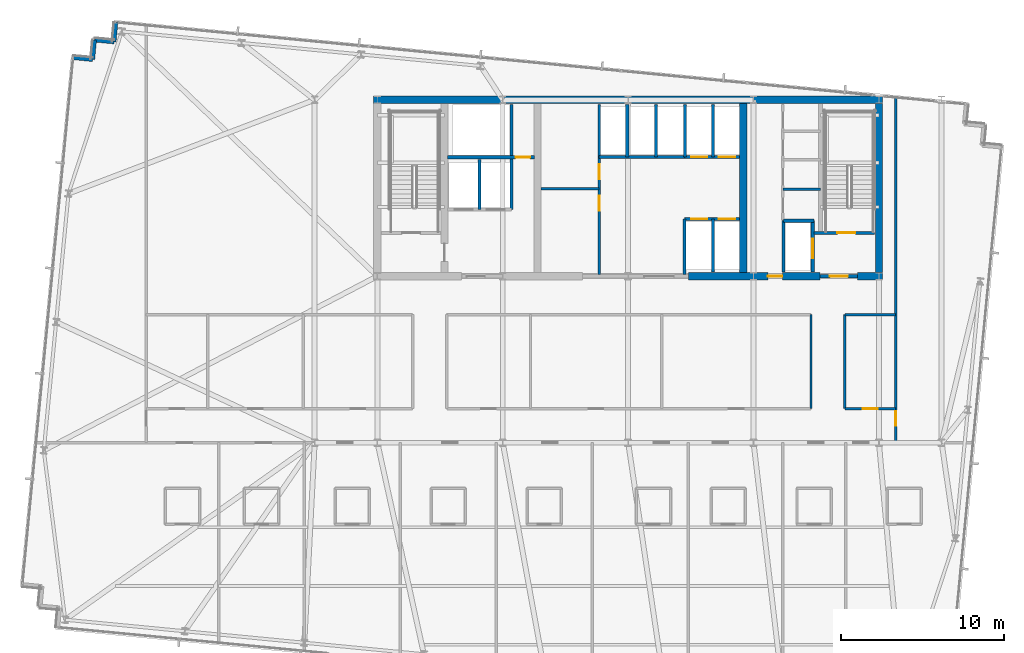
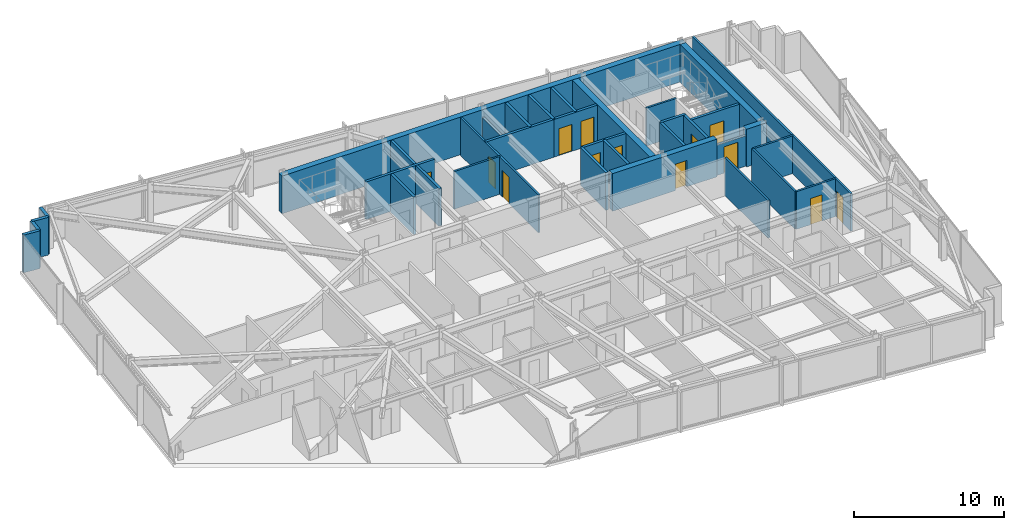
# One storey, part 31 of 37: 34 walls, 13 doors, 13 openings.
"""IFC4 building model written with IfcOpenShell, lengths in metres."""

from ifc_helpers import new_model, si_unit, direction, frame, frame_2d, origin, place, context, subcontext, project, spatial, rectangle, extrude, material, layer, layer_set, type_object, element, fill, save


model = new_model("IFC4")

# Units and contexts
model_context = context("Model", 3, precision=1e-05, world=origin(), true_north=direction((0.0, 1.0)))
body_context = subcontext(model_context, "Body", "Model", "MODEL_VIEW")
ifc_project = project(units=[si_unit("LENGTHUNIT", "METRE"), si_unit("AREAUNIT", "SQUARE_METRE"), si_unit("VOLUMEUNIT", "CUBIC_METRE"), si_unit("PLANEANGLEUNIT", "RADIAN"), si_unit("MASSUNIT", "GRAM", prefix="KILO")], contexts=[model_context])

# Site, building, storey
site_placement = place(None, origin())
site = spatial("IfcSite", under=ifc_project, at=site_placement, CompositionType="ELEMENT")
building_placement = place(site_placement, origin())
building = spatial("IfcBuilding", under=site, at=building_placement, Name="Yelkora Congress Tower", CompositionType="ELEMENT")
storey_placement = place(building_placement, frame((0.0, 0.0, 162.199951171875)))
storey = spatial("IfcBuildingStorey", under=building, at=storey_placement, Name="L44", CompositionType="ELEMENT", Elevation=162.199951171875)

# Wall
ifc_material_1 = material(Name="Concrete C60/75", Category="concrete")
ifc_layer_1 = layer(ifc_material_1, 0.449951171875)
ifc_layer_set_1 = layer_set([ifc_layer_1], Name="Concrete C60/75")
wall_type_1 = type_object("IfcWallType", Name="WALL-CORE-INT-450", PredefinedType="SHEAR", material=ifc_layer_set_1)
wall_1_placement = place(storey_placement, frame((22.81494140625, 46.199951171875, 0.0), z_axis=(0.0, 0.0, 1.0), x_axis=(1.0, 0.0, 0.0)))
element("IfcWall", 1, at=wall_1_placement, inside=storey, type_object=wall_type_1, Name="L44 Rear Core North Shear Wall", PredefinedType="SHEAR", context=body_context, shape_type="SweptSolid", body=[
    extrude(rectangle(XDim=31.170166015625, YDim=0.449951171875, at=frame_2d((15.5849609375, 0.0))), origin(), (0.0, 0.0, 1.0), 3.080078125),
])

# Wall, opening, door
wall_2_placement = place(storey_placement, frame((42.10009765625, 35.39990234375, 0.0), z_axis=(0.0, 0.0, 1.0), x_axis=(1.0, 0.0, 0.0)))
wall_2 = element("IfcWall", 2, at=wall_2_placement, inside=storey, type_object=wall_type_1, Name="L44 Rear Core South-East Shear Wall A", PredefinedType="SHEAR", context=body_context, shape_type="SweptSolid", body=[
    extrude(rectangle(XDim=8.0498046875, YDim=0.449951171875, at=frame_2d((4.02490234375, 0.0))), origin(), (0.0, 0.0, 1.0), 3.080078125),
])
opening_1_placement = place(wall_2_placement, frame((4.85009765625, 0.0, 0.0)))
opening_1 = element("IfcOpeningElement", 3, at=opening_1_placement, cuts=wall_2, Name="Opening DR-090F6", PredefinedType="OPENING", context=body_context, shape_type="SweptSolid", body=[
    extrude(rectangle(XDim=0.89990234375, YDim=2.14990234375, at=frame_2d((0.449951171875, 1.074951171875))), frame((0.0, 0.23486328125, 0.0), z_axis=(0.0, -1.0, 0.0), x_axis=(1.0, 0.0, 0.0)), (0.0, 0.0, 1.0), 0.469970703125),
])
ifc_material_2 = material(Name="Painted steel riser fire door leaf", Category="steel")
door_type_1 = type_object("IfcDoorType", Name="DOOR-FD60-900", OperationType="NOTDEFINED", PredefinedType="DOOR", material=ifc_material_2)
door_1_placement = place(opening_1_placement, origin())
door_1 = element("IfcDoor", 4, at=door_1_placement, inside=storey, type_object=door_type_1, Name="L44 Core Washroom Lobby Door", OperationType="SINGLE_SWING_RIGHT", OverallHeight=2.14990234375, OverallWidth=0.89990234375, PredefinedType="DOOR", context=body_context, shape_type="SweptSolid", body=[
    extrude(rectangle(XDim=0.89990234375, YDim=2.14990234375, at=frame_2d((0.449951171875, 1.074951171875))), frame((0.0, 0.02490234375, 0.0), z_axis=(0.0, -1.0, 0.0), x_axis=(1.0, 0.0, 0.0)), (0.0, 0.0, 1.0), 0.050048828125),
])
fill(opening_1, door_1)

# Walls
wall_3_placement = place(storey_placement, frame((52.449951171875, 35.39990234375, 0.0), z_axis=(0.0, 0.0, 1.0), x_axis=(1.0, 0.0, 0.0)))
element("IfcWall", 5, at=wall_3_placement, inside=storey, type_object=wall_type_1, Name="L44 Rear Core South-East Shear Wall B", PredefinedType="SHEAR", context=body_context, shape_type="SweptSolid", body=[
    extrude(rectangle(XDim=1.53515625, YDim=0.449951171875, at=frame_2d((0.767578125, 0.0))), origin(), (0.0, 0.0, 1.0), 3.080078125),
])
for number, where, z_axis, x_axis, name in (
    (6, (45.449951171875, 35.625, 0.0), (0.0, 0.0, 1.0), (0.0, 1.0, 0.0), "L44 Rear Core Cross Shear Wall C3"),
    (7, (53.760009765625, 35.625, 0.0), (0.0, 0.0, 1.0), (0.0, 1.0, 0.0), "L44 Rear Core Cross Shear Wall E"),
):
    element("IfcWall", number, at=place(storey_placement, frame(where, z_axis=z_axis, x_axis=x_axis)), inside=storey, type_object=wall_type_1, Name=name, PredefinedType="SHEAR", context=body_context, shape_type="SweptSolid", body=[
        extrude(rectangle(XDim=10.35009765625, YDim=0.449951171875, at=frame_2d((5.175048828125, 0.0))), origin(), (0.0, 0.0, 1.0), 3.080078125),
    ])
ifc_material_3 = material(Name="Concrete C40/50", Category="concrete")
ifc_layer_2 = layer(ifc_material_3, 0.239990234375)
ifc_layer_set_2 = layer_set([ifc_layer_2], Name="Concrete C40/50")
wall_type_2 = type_object("IfcWallType", Name="WALL-EXT-LIMESTONE-240", PredefinedType="SOLIDWALL", material=ifc_layer_set_2)
wall_4_placement = place(storey_placement, frame((4.41064453125, 48.778564453125, 0.0), z_axis=(0.0, 0.0, 1.0), x_axis=(0.995397091755, -0.095836473879, 0.0)))
element("IfcWall", 8, at=wall_4_placement, inside=storey, type_object=wall_type_2, Name="L44 Serrated Corner Limestone Pier 6", PredefinedType="SOLIDWALL", context=body_context, shape_type="SweptSolid", body=[
    extrude(rectangle(XDim=1.199951171875, YDim=0.239990234375, at=frame_2d((0.60009765625, 0.0))), origin(), (0.0, 0.0, 1.0), 3.080078125),
])
wall_5_placement = place(storey_placement, frame((5.60498046875, 48.66357421875, 0.0), z_axis=(0.0, 0.0, 1.0), x_axis=(0.096018626938, 0.995379537303, 0.0)))
element("IfcWall", 9, at=wall_5_placement, inside=storey, type_object=wall_type_2, Name="L44 Serrated Corner Limestone Pier 7", PredefinedType="SOLIDWALL", context=body_context, shape_type="SweptSolid", body=[
    extrude(rectangle(XDim=1.2001953125, YDim=0.239990234375, at=frame_2d((0.60009765625, 0.0))), origin(), (0.0, 0.0, 1.0), 3.080078125),
])
for number, where, z_axis, x_axis, name in (
    (10, (5.72021484375, 49.858154296875, 0.0), (0.0, 0.0, 1.0), (0.995397091755, -0.095836473879, 0.0), "L44 Serrated Corner Limestone Pier 8"),
    (11, (6.91455078125, 49.7431640625, 0.0), (0.0, 0.0, 1.0), (0.095836473879, 0.995397091755, 0.0), "L44 Serrated Corner Limestone Pier 9"),
):
    element("IfcWall", number, at=place(storey_placement, frame(where, z_axis=z_axis, x_axis=x_axis)), inside=storey, type_object=wall_type_2, Name=name, PredefinedType="SOLIDWALL", context=body_context, shape_type="SweptSolid", body=[
        extrude(rectangle(XDim=1.199951171875, YDim=0.239990234375, at=frame_2d((0.60009765625, 0.0))), origin(), (0.0, 0.0, 1.0), 3.080078125),
    ])
ifc_material_4 = material(Name="Acoustic metal-stud gypsum partition", Category="gypsum")
ifc_layer_3 = layer(ifc_material_4, 0.14990234375)
ifc_layer_set_3 = layer_set([ifc_layer_3], Name="Acoustic metal-stud gypsum partition")
wall_type_3 = type_object("IfcWallType", Name="WALL-INT-150-NR", PredefinedType="PARTITIONING", material=ifc_layer_set_3)
wall_6_placement = place(storey_placement, frame((47.8798828125, 40.719970703125, 0.0), z_axis=(0.0, 0.0, 1.0), x_axis=(1.0, 0.0, 0.0)))
element("IfcWall", 12, at=wall_6_placement, inside=storey, type_object=wall_type_3, Name="L44 Partition Wall 24", PredefinedType="PARTITIONING", context=body_context, shape_type="SweptSolid", body=[
    extrude(rectangle(XDim=2.300048828125, YDim=0.14990234375, at=frame_2d((1.14990234375, 0.0))), origin(), (0.0, 0.0, 1.0), 3.080078125),
])

# Wall, opening, door
wall_7_placement = place(storey_placement, frame((54.784912109375, 25.199951171875, 0.0), z_axis=(0.0, 0.0, 1.0), x_axis=(0.0, 1.0, 0.0)))
wall_7 = element("IfcWall", 13, at=wall_7_placement, inside=storey, type_object=wall_type_3, Name="L44 Partition Wall 74", PredefinedType="PARTITIONING", context=body_context, shape_type="SweptSolid", body=[
    extrude(rectangle(XDim=21.19970703125, YDim=0.14990234375, at=frame_2d((10.599853515625, 0.0))), origin(), (0.0, 0.0, 1.0), 3.080078125),
])
opening_2_placement = place(wall_7_placement, frame((1.030029296875, 0.0, 0.0)))
opening_2 = element("IfcOpeningElement", 14, at=opening_2_placement, cuts=wall_7, Name="Opening DR-090N", PredefinedType="OPENING", context=body_context, shape_type="SweptSolid", body=[
    extrude(rectangle(XDim=0.89990234375, YDim=2.14990234375, at=frame_2d((0.449951171875, 1.074951171875))), frame((0.0, 0.0849609375, 0.0), z_axis=(0.0, -1.0, 0.0), x_axis=(1.0, 0.0, 0.0)), (0.0, 0.0, 1.0), 0.169921875),
])
ifc_material_5 = material(Name="Moisture-resistant laminate door leaf", Category="wood")
door_type_2 = type_object("IfcDoorType", Name="DOOR-INT-900", OperationType="NOTDEFINED", PredefinedType="DOOR", material=ifc_material_5)
door_2_placement = place(opening_2_placement, origin())
door_2 = element("IfcDoor", 15, at=door_2_placement, inside=storey, type_object=door_type_2, Name="L44 E Wing Door", OperationType="SINGLE_SWING_LEFT", OverallHeight=2.14990234375, OverallWidth=0.89990234375, PredefinedType="DOOR", context=body_context, shape_type="SweptSolid", body=[
    extrude(rectangle(XDim=0.89990234375, YDim=2.14990234375, at=frame_2d((0.449951171875, 1.074951171875))), frame((0.0, 0.02490234375, 0.0), z_axis=(0.0, -1.0, 0.0), x_axis=(1.0, 0.0, 0.0)), (0.0, 0.0, 1.0), 0.050048828125),
])
fill(opening_2, door_2)

# Walls
for number, where, z_axis, x_axis, name in (
    (16, (49.60009765625, 27.280029296875, 0.0), (0.0, 0.0, 1.0), (0.0, 1.0, 0.0), "L44 Partition Wall 77"),
    (17, (51.679931640625, 27.280029296875, 0.0), (0.0, 0.0, 1.0), (0.0, 1.0, 0.0), "L44 Partition Wall 78"),
):
    element("IfcWall", number, at=place(storey_placement, frame(where, z_axis=z_axis, x_axis=x_axis)), inside=storey, type_object=wall_type_3, Name=name, PredefinedType="PARTITIONING", context=body_context, shape_type="SweptSolid", body=[
        extrude(rectangle(XDim=5.77001953125, YDim=0.14990234375, at=frame_2d((2.885009765625, 0.0))), origin(), (0.0, 0.0, 1.0), 3.080078125),
    ])
wall_8_placement = place(storey_placement, frame((51.679931640625, 33.050048828125, 0.0), z_axis=(0.0, 0.0, 1.0), x_axis=(1.0, 0.0, 0.0)))
element("IfcWall", 18, at=wall_8_placement, inside=storey, type_object=wall_type_3, Name="L44 Partition Wall 81", PredefinedType="PARTITIONING", context=body_context, shape_type="SweptSolid", body=[
    extrude(rectangle(XDim=3.10498046875, YDim=0.14990234375, at=frame_2d((1.552490234375, 0.0))), origin(), (0.0, 0.0, 1.0), 3.080078125),
])

# Wall, opening, door
wall_9_placement = place(storey_placement, frame((51.68994140625, 27.280029296875, 0.0), z_axis=(0.0, 0.0, 1.0), x_axis=(1.0, 0.0, 0.0)))
wall_9 = element("IfcWall", 19, at=wall_9_placement, inside=storey, type_object=wall_type_3, Name="L44 Partition Wall 88", PredefinedType="PARTITIONING", context=body_context, shape_type="SweptSolid", body=[
    extrude(rectangle(XDim=3.074951171875, YDim=0.14990234375, at=frame_2d((1.53759765625, 0.0))), origin(), (0.0, 0.0, 1.0), 3.080078125),
])
opening_3_placement = place(wall_9_placement, frame((1.08740234375, 0.0, 0.0)))
opening_3 = element("IfcOpeningElement", 20, at=opening_3_placement, cuts=wall_9, Name="Opening DR-090N", PredefinedType="OPENING", context=body_context, shape_type="SweptSolid", body=[
    extrude(rectangle(XDim=0.89990234375, YDim=2.14990234375, at=frame_2d((0.449951171875, 1.074951171875))), frame((0.0, 0.0849609375, 0.0), z_axis=(0.0, -1.0, 0.0), x_axis=(1.0, 0.0, 0.0)), (0.0, 0.0, 1.0), 0.169921875),
])
door_3_placement = place(opening_3_placement, origin())
door_3 = element("IfcDoor", 21, at=door_3_placement, inside=storey, type_object=door_type_2, Name="L44 Breakout Training Room Door", OperationType="SINGLE_SWING_RIGHT", OverallHeight=2.14990234375, OverallWidth=0.89990234375, PredefinedType="DOOR", context=body_context, shape_type="SweptSolid", body=[
    extrude(rectangle(XDim=0.89990234375, YDim=2.14990234375, at=frame_2d((0.449951171875, 1.074951171875))), frame((0.0, 0.02490234375, 0.0), z_axis=(0.0, -1.0, 0.0), x_axis=(1.0, 0.0, 0.0)), (0.0, 0.0, 1.0), 0.050048828125),
])
fill(opening_3, door_3)

# Wall
ifc_material_6 = material(Name="Twin-stud fire-rated gypsum partition", Category="gypsum")
ifc_layer_4 = layer(ifc_material_6, 0.14990234375)
ifc_layer_set_4 = layer_set([ifc_layer_4], Name="Twin-stud fire-rated gypsum partition")
wall_type_4 = type_object("IfcWallType", Name="WALL-INT-150-R60", PredefinedType="PARTITIONING", material=ifc_layer_set_4)
wall_10_placement = place(storey_placement, frame((33.050048828125, 40.75, 0.0), z_axis=(0.0, 0.0, 1.0), x_axis=(1.0, 0.0, 0.0)))
element("IfcWall", 22, at=wall_10_placement, inside=storey, type_object=wall_type_4, Name="L44 Partition Wall 11", PredefinedType="PARTITIONING", context=body_context, shape_type="SweptSolid", body=[
    extrude(rectangle(XDim=3.570068359375, YDim=0.14990234375, at=frame_2d((1.78515625, 0.0))), origin(), (0.0, 0.0, 1.0), 3.080078125),
])

# Wall, openings, doors
wall_11_placement = place(storey_placement, frame((36.6201171875, 35.5, 0.0), z_axis=(0.0, 0.0, 1.0), x_axis=(0.0, 1.0, 0.0)))
wall_11 = element("IfcWall", 23, at=wall_11_placement, inside=storey, type_object=wall_type_4, Name="L44 Partition Wall 12", PredefinedType="PARTITIONING", context=body_context, shape_type="SweptSolid", body=[
    extrude(rectangle(XDim=10.419921875, YDim=0.14990234375, at=frame_2d((5.2099609375, 0.0))), origin(), (0.0, 0.0, 1.0), 3.080078125),
])
opening_4_placement = place(wall_11_placement, frame((3.919921875, 0.0, 0.0)))
opening_4 = element("IfcOpeningElement", 24, at=opening_4_placement, cuts=wall_11, Name="Opening DR-090F6", PredefinedType="OPENING", context=body_context, shape_type="SweptSolid", body=[
    extrude(rectangle(XDim=0.89990234375, YDim=2.14990234375, at=frame_2d((0.449951171875, 1.074951171875))), frame((0.0, 0.0849609375, 0.0), z_axis=(0.0, -1.0, 0.0), x_axis=(1.0, 0.0, 0.0)), (0.0, 0.0, 1.0), 0.169921875),
])
opening_5_placement = place(wall_11_placement, frame((5.85009765625, 0.0, 0.0)))
opening_5 = element("IfcOpeningElement", 25, at=opening_5_placement, cuts=wall_11, Name="Opening DR-090F6", PredefinedType="OPENING", context=body_context, shape_type="SweptSolid", body=[
    extrude(rectangle(XDim=0.89990234375, YDim=2.14990234375, at=frame_2d((0.449951171875, 1.074951171875))), frame((0.0, 0.0849609375, 0.0), z_axis=(0.0, -1.0, 0.0), x_axis=(1.0, 0.0, 0.0)), (0.0, 0.0, 1.0), 0.169921875),
])
door_4_placement = place(opening_4_placement, origin())
door_4 = element("IfcDoor", 26, at=door_4_placement, inside=storey, type_object=door_type_1, Name="L44 Telecom Store Door", OperationType="SINGLE_SWING_LEFT", OverallHeight=2.14990234375, OverallWidth=0.89990234375, PredefinedType="DOOR", context=body_context, shape_type="SweptSolid", body=[
    extrude(rectangle(XDim=0.89990234375, YDim=2.14990234375, at=frame_2d((0.449951171875, 1.074951171875))), frame((0.0, 0.02490234375, 0.0), z_axis=(0.0, -1.0, 0.0), x_axis=(1.0, 0.0, 0.0)), (0.0, 0.0, 1.0), 0.050048828125),
])
fill(opening_4, door_4)
door_5_placement = place(opening_5_placement, origin())
door_5 = element("IfcDoor", 27, at=door_5_placement, inside=storey, type_object=door_type_1, Name="L44 Archive Store Door", OperationType="SINGLE_SWING_RIGHT", OverallHeight=2.14990234375, OverallWidth=0.89990234375, PredefinedType="DOOR", context=body_context, shape_type="SweptSolid", body=[
    extrude(rectangle(XDim=0.89990234375, YDim=2.14990234375, at=frame_2d((0.449951171875, 1.074951171875))), frame((0.0, 0.02490234375, 0.0), z_axis=(0.0, -1.0, 0.0), x_axis=(1.0, 0.0, 0.0)), (0.0, 0.0, 1.0), 0.050048828125),
])
fill(opening_5, door_5)

# Walls
ifc_material_7 = material(Name="Autoclaved aerated concrete blockwork", Category="masonry")
ifc_layer_5 = layer(ifc_material_7, 0.199951171875)
ifc_layer_set_5 = layer_set([ifc_layer_5], Name="Autoclaved aerated concrete blockwork")
wall_type_5 = type_object("IfcWallType", Name="WALL-INT-200-R120", PredefinedType="PARTITIONING", material=ifc_layer_set_5)
wall_12_placement = place(storey_placement, frame((29.300048828125, 39.47998046875, 0.0), z_axis=(0.0, 0.0, 1.0), x_axis=(0.0, 1.0, 0.0)))
element("IfcWall", 28, at=wall_12_placement, inside=storey, type_object=wall_type_5, Name="L44 Partition Wall 4", PredefinedType="PARTITIONING", context=body_context, shape_type="SweptSolid", body=[
    extrude(rectangle(XDim=3.070068359375, YDim=0.199951171875, at=frame_2d((1.53515625, 0.0))), origin(), (0.0, 0.0, 1.0), 3.080078125),
])
wall_13_placement = place(storey_placement, frame((31.260009765625, 39.47998046875, 0.0), z_axis=(0.0, 0.0, 1.0), x_axis=(0.0, 1.0, 0.0)))
element("IfcWall", 29, at=wall_13_placement, inside=storey, type_object=wall_type_5, Name="L44 Partition Wall 5", PredefinedType="PARTITIONING", context=body_context, shape_type="SweptSolid", body=[
    extrude(rectangle(XDim=6.43994140625, YDim=0.199951171875, at=frame_2d((3.219970703125, 0.0))), origin(), (0.0, 0.0, 1.0), 3.080078125),
])

# Wall, opening, door
wall_14_placement = place(storey_placement, frame((27.320068359375, 42.679931640625, 0.0), z_axis=(0.0, 0.0, 1.0), x_axis=(1.0, 0.0, 0.0)))
wall_14 = element("IfcWall", 30, at=wall_14_placement, inside=storey, type_object=wall_type_5, Name="L44 Smoke Riser South Wall", PredefinedType="PARTITIONING", context=body_context, shape_type="SweptSolid", body=[
    extrude(rectangle(XDim=5.329833984375, YDim=0.199951171875, at=frame_2d((2.6650390625, 0.0))), origin(), (0.0, 0.0, 1.0), 3.080078125),
])
opening_6_placement = place(wall_14_placement, frame((4.179931640625, 0.0, 0.0)))
opening_6 = element("IfcOpeningElement", 31, at=opening_6_placement, cuts=wall_14, Name="Opening DR-090F6", PredefinedType="OPENING", context=body_context, shape_type="SweptSolid", body=[
    extrude(rectangle(XDim=0.89990234375, YDim=2.14990234375, at=frame_2d((0.449951171875, 1.074951171875))), frame((0.0, 0.10986328125, 0.0), z_axis=(0.0, -1.0, 0.0), x_axis=(1.0, 0.0, 0.0)), (0.0, 0.0, 1.0), 0.219970703125),
])
door_6_placement = place(opening_6_placement, origin())
door_6 = element("IfcDoor", 32, at=door_6_placement, inside=storey, type_object=door_type_1, Name="L44 Riser Access Door", OperationType="SINGLE_SWING_LEFT", OverallHeight=2.14990234375, OverallWidth=0.89990234375, PredefinedType="DOOR", context=body_context, shape_type="SweptSolid", body=[
    extrude(rectangle(XDim=0.89990234375, YDim=2.14990234375, at=frame_2d((0.449951171875, 1.074951171875))), frame((0.0, 0.02490234375, 0.0), z_axis=(0.0, -1.0, 0.0), x_axis=(1.0, 0.0, 0.0)), (0.0, 0.0, 1.0), 0.050048828125),
])
fill(opening_6, door_6)

# Walls
wall_15_placement = place(storey_placement, frame((36.60009765625, 42.699951171875, 0.0), z_axis=(0.0, 0.0, 1.0), x_axis=(1.0, 0.0, 0.0)))
element("IfcWall", 33, at=wall_15_placement, inside=storey, type_object=wall_type_5, Name="L44 Partition Wall 8", PredefinedType="PARTITIONING", context=body_context, shape_type="SweptSolid", body=[
    extrude(rectangle(XDim=5.25, YDim=0.199951171875, at=frame_2d((2.625, 0.0))), origin(), (0.0, 0.0, 1.0), 3.080078125),
])
wall_16_placement = place(storey_placement, frame((38.35009765625, 42.699951171875, 0.0), z_axis=(0.0, 0.0, 1.0), x_axis=(0.0, 1.0, 0.0)))
element("IfcWall", 34, at=wall_16_placement, inside=storey, type_object=wall_type_5, Name="L44 Partition Wall 9", PredefinedType="PARTITIONING", context=body_context, shape_type="SweptSolid", body=[
    extrude(rectangle(XDim=3.219970703125, YDim=0.199951171875, at=frame_2d((1.60986328125, 0.0))), origin(), (0.0, 0.0, 1.0), 2.47509765625),
])
wall_17_placement = place(storey_placement, frame((40.10009765625, 42.699951171875, 0.0), z_axis=(0.0, 0.0, 1.0), x_axis=(0.0, 1.0, 0.0)))
element("IfcWall", 35, at=wall_17_placement, inside=storey, type_object=wall_type_5, Name="L44 Partition Wall 10", PredefinedType="PARTITIONING", context=body_context, shape_type="SweptSolid", body=[
    extrude(rectangle(XDim=3.219970703125, YDim=0.199951171875, at=frame_2d((1.60986328125, 0.0))), origin(), (0.0, 0.0, 1.0), 3.080078125),
])

# Wall, openings, doors
wall_18_placement = place(storey_placement, frame((41.85009765625, 38.89990234375, 0.0), z_axis=(0.0, 0.0, 1.0), x_axis=(1.0, 0.0, 0.0)))
wall_18 = element("IfcWall", 36, at=wall_18_placement, inside=storey, type_object=wall_type_5, Name="L44 Partition Wall 13", PredefinedType="PARTITIONING", context=body_context, shape_type="SweptSolid", body=[
    extrude(rectangle(XDim=3.369873046875, YDim=0.199951171875, at=frame_2d((1.68505859375, 0.0))), origin(), (0.0, 0.0, 1.0), 3.080078125),
])
opening_7_placement = place(wall_18_placement, frame((0.39990234375, 0.0, 0.0)))
opening_7 = element("IfcOpeningElement", 37, at=opening_7_placement, cuts=wall_18, Name="Opening LD-PS10", PredefinedType="OPENING", context=body_context, shape_type="SweptSolid", body=[
    extrude(rectangle(XDim=1.0, YDim=2.199951171875, at=frame_2d((0.5, 1.10009765625))), frame((0.0, 0.10986328125, 0.0), z_axis=(0.0, -1.0, 0.0), x_axis=(1.0, 0.0, 0.0)), (0.0, 0.0, 1.0), 0.219970703125),
])
opening_8_placement = place(wall_18_placement, frame((2.10009765625, 0.0, 0.0)))
opening_8 = element("IfcOpeningElement", 38, at=opening_8_placement, cuts=wall_18, Name="Opening LD-PS10", PredefinedType="OPENING", context=body_context, shape_type="SweptSolid", body=[
    extrude(rectangle(XDim=1.0, YDim=2.199951171875, at=frame_2d((0.5, 1.10009765625))), frame((0.0, 0.10986328125, 0.0), z_axis=(0.0, -1.0, 0.0), x_axis=(1.0, 0.0, 0.0)), (0.0, 0.0, 1.0), 0.219970703125),
])
ifc_material_8 = material(Name="Champagne stainless steel landing door", Category="steel")
door_type_3 = type_object("IfcDoorType", Name="DOOR-LIFT-PAS-1000", OperationType="DOUBLE_DOOR_SLIDING", PredefinedType="DOOR", material=ifc_material_8)
door_7_placement = place(opening_7_placement, origin())
door_7 = element("IfcDoor", 39, at=door_7_placement, inside=storey, type_object=door_type_3, Name="Lift Landing Door LF-P5 L44", OperationType="DOUBLE_DOOR_SLIDING", OverallHeight=2.199951171875, OverallWidth=1.0, PredefinedType="DOOR", context=body_context, shape_type="SweptSolid", body=[
    extrude(rectangle(XDim=1.0, YDim=2.199951171875, at=frame_2d((0.5, 1.10009765625))), frame((0.0, 0.02490234375, 0.0), z_axis=(0.0, -1.0, 0.0), x_axis=(1.0, 0.0, 0.0)), (0.0, 0.0, 1.0), 0.050048828125),
])
fill(opening_7, door_7)
door_8_placement = place(opening_8_placement, origin())
door_8 = element("IfcDoor", 40, at=door_8_placement, inside=storey, type_object=door_type_3, Name="Lift Landing Door LF-P6 L44", OperationType="DOUBLE_DOOR_SLIDING", OverallHeight=2.199951171875, OverallWidth=1.0, PredefinedType="DOOR", context=body_context, shape_type="SweptSolid", body=[
    extrude(rectangle(XDim=1.0, YDim=2.199951171875, at=frame_2d((0.5, 1.10009765625))), frame((0.0, 0.02490234375, 0.0), z_axis=(0.0, -1.0, 0.0), x_axis=(1.0, 0.0, 0.0)), (0.0, 0.0, 1.0), 0.050048828125),
])
fill(opening_8, door_8)

wall_19_placement = place(storey_placement, frame((41.85009765625, 42.699951171875, 0.0), z_axis=(0.0, 0.0, 1.0), x_axis=(1.0, 0.0, 0.0)))
wall_19 = element("IfcWall", 41, at=wall_19_placement, inside=storey, type_object=wall_type_5, Name="L44 Partition Wall 14", PredefinedType="PARTITIONING", context=body_context, shape_type="SweptSolid", body=[
    extrude(rectangle(XDim=3.369873046875, YDim=0.199951171875, at=frame_2d((1.68505859375, 0.0))), origin(), (0.0, 0.0, 1.0), 3.080078125),
])
opening_9_placement = place(wall_19_placement, frame((0.39990234375, 0.0, 0.0)))
opening_9 = element("IfcOpeningElement", 42, at=opening_9_placement, cuts=wall_19, Name="Opening LD-PS10", PredefinedType="OPENING", context=body_context, shape_type="SweptSolid", body=[
    extrude(rectangle(XDim=1.0, YDim=2.199951171875, at=frame_2d((0.5, 1.10009765625))), frame((0.0, 0.10986328125, 0.0), z_axis=(0.0, -1.0, 0.0), x_axis=(1.0, 0.0, 0.0)), (0.0, 0.0, 1.0), 0.219970703125),
])
opening_10_placement = place(wall_19_placement, frame((2.10009765625, 0.0, 0.0)))
opening_10 = element("IfcOpeningElement", 43, at=opening_10_placement, cuts=wall_19, Name="Opening LD-PS10", PredefinedType="OPENING", context=body_context, shape_type="SweptSolid", body=[
    extrude(rectangle(XDim=1.0, YDim=2.199951171875, at=frame_2d((0.5, 1.10009765625))), frame((0.0, 0.10986328125, 0.0), z_axis=(0.0, -1.0, 0.0), x_axis=(1.0, 0.0, 0.0)), (0.0, 0.0, 1.0), 0.219970703125),
])
door_9_placement = place(opening_9_placement, origin())
door_9 = element("IfcDoor", 44, at=door_9_placement, inside=storey, type_object=door_type_3, Name="Lift Landing Door LF-P7 L44", OperationType="DOUBLE_DOOR_SLIDING", OverallHeight=2.199951171875, OverallWidth=1.0, PredefinedType="DOOR", context=body_context, shape_type="SweptSolid", body=[
    extrude(rectangle(XDim=1.0, YDim=2.199951171875, at=frame_2d((0.5, 1.10009765625))), frame((0.0, 0.02490234375, 0.0), z_axis=(0.0, -1.0, 0.0), x_axis=(1.0, 0.0, 0.0)), (0.0, 0.0, 1.0), 0.050048828125),
])
fill(opening_9, door_9)
door_10_placement = place(opening_10_placement, origin())
door_10 = element("IfcDoor", 45, at=door_10_placement, inside=storey, type_object=door_type_3, Name="Lift Landing Door LF-P8 L44", OperationType="DOUBLE_DOOR_SLIDING", OverallHeight=2.199951171875, OverallWidth=1.0, PredefinedType="DOOR", context=body_context, shape_type="SweptSolid", body=[
    extrude(rectangle(XDim=1.0, YDim=2.199951171875, at=frame_2d((0.5, 1.10009765625))), frame((0.0, 0.02490234375, 0.0), z_axis=(0.0, -1.0, 0.0), x_axis=(1.0, 0.0, 0.0)), (0.0, 0.0, 1.0), 0.050048828125),
])
fill(opening_10, door_10)

# Walls
wall_20_placement = place(storey_placement, frame((43.60009765625, 35.64990234375, 0.0), z_axis=(0.0, 0.0, 1.0), x_axis=(0.0, 1.0, 0.0)))
element("IfcWall", 46, at=wall_20_placement, inside=storey, type_object=wall_type_5, Name="L44 Partition Wall 15", PredefinedType="PARTITIONING", context=body_context, shape_type="SweptSolid", body=[
    extrude(rectangle(XDim=3.25, YDim=0.199951171875, at=frame_2d((1.625, 0.0))), origin(), (0.0, 0.0, 1.0), 3.080078125),
])
wall_21_placement = place(storey_placement, frame((43.60009765625, 42.699951171875, 0.0), z_axis=(0.0, 0.0, 1.0), x_axis=(0.0, 1.0, 0.0)))
element("IfcWall", 47, at=wall_21_placement, inside=storey, type_object=wall_type_5, Name="L44 Partition Wall 16", PredefinedType="PARTITIONING", context=body_context, shape_type="SweptSolid", body=[
    extrude(rectangle(XDim=3.219970703125, YDim=0.199951171875, at=frame_2d((1.60986328125, 0.0))), origin(), (0.0, 0.0, 1.0), 3.080078125),
])
wall_22_placement = place(storey_placement, frame((41.85009765625, 35.5, 0.0), z_axis=(0.0, 0.0, 1.0), x_axis=(0.0, 1.0, 0.0)))
element("IfcWall", 48, at=wall_22_placement, inside=storey, type_object=wall_type_5, Name="L44 Partition Wall 17", PredefinedType="PARTITIONING", context=body_context, shape_type="SweptSolid", body=[
    extrude(rectangle(XDim=3.39990234375, YDim=0.199951171875, at=frame_2d((1.699951171875, 0.0))), origin(), (0.0, 0.0, 1.0), 3.080078125),
])
wall_23_placement = place(storey_placement, frame((41.8798828125, 42.699951171875, 0.0), z_axis=(0.0, 0.0, 1.0), x_axis=(0.0, 1.0, 0.0)))
element("IfcWall", 49, at=wall_23_placement, inside=storey, type_object=wall_type_5, Name="L44 Partition Wall 18", PredefinedType="PARTITIONING", context=body_context, shape_type="SweptSolid", body=[
    extrude(rectangle(XDim=3.219970703125, YDim=0.199951171875, at=frame_2d((1.60986328125, 0.0))), origin(), (0.0, 0.0, 1.0), 3.080078125),
])

# Wall, opening, door
wall_24_placement = place(storey_placement, frame((49.780029296875, 38.050048828125, 0.0), z_axis=(0.0, 0.0, 1.0), x_axis=(1.0, 0.0, 0.0)))
wall_24 = element("IfcWall", 50, at=wall_24_placement, inside=storey, type_object=wall_type_5, Name="L44 Stair ST-02 Enclosure Wall", PredefinedType="PARTITIONING", context=body_context, shape_type="SweptSolid", body=[
    extrude(rectangle(XDim=3.719970703125, YDim=0.199951171875, at=frame_2d((1.85986328125, 0.0))), origin(), (0.0, 0.0, 1.0), 3.080078125),
])
opening_11_placement = place(wall_24_placement, frame((1.436279296875, 0.0, 0.0)))
opening_11 = element("IfcOpeningElement", 51, at=opening_11_placement, cuts=wall_24, Name="Opening DR-110F9", PredefinedType="OPENING", context=body_context, shape_type="SweptSolid", body=[
    extrude(rectangle(XDim=1.10009765625, YDim=2.14990234375, at=frame_2d((0.550048828125, 1.074951171875))), frame((0.0, 0.10986328125, 0.0), z_axis=(0.0, -1.0, 0.0), x_axis=(1.0, 0.0, 0.0)), (0.0, 0.0, 1.0), 0.219970703125),
])
ifc_material_9 = material(Name="Galvanised steel fire door leaf", Category="steel")
door_type_4 = type_object("IfcDoorType", Name="DOOR-FD90-1100", OperationType="NOTDEFINED", PredefinedType="DOOR", material=ifc_material_9)
door_11_placement = place(opening_11_placement, origin())
door_11 = element("IfcDoor", 52, at=door_11_placement, inside=storey, type_object=door_type_4, Name="L44 Stair ST-02 Entry Door", OperationType="SINGLE_SWING_LEFT", OverallHeight=2.14990234375, OverallWidth=1.10009765625, PredefinedType="DOOR", context=body_context, shape_type="SweptSolid", body=[
    extrude(rectangle(XDim=1.10009765625, YDim=2.14990234375, at=frame_2d((0.550048828125, 1.074951171875))), frame((0.0, 0.02490234375, 0.0), z_axis=(0.0, -1.0, 0.0), x_axis=(1.0, 0.0, 0.0)), (0.0, 0.0, 1.0), 0.050048828125),
])
fill(opening_11, door_11)

wall_25_placement = place(storey_placement, frame((50.14990234375, 35.39990234375, 0.0), z_axis=(0.0, 0.0, 1.0), x_axis=(1.0, 0.0, 0.0)))
wall_25 = element("IfcWall", 53, at=wall_25_placement, inside=storey, type_object=wall_type_5, Name="L44 Partition Wall 20", PredefinedType="PARTITIONING", context=body_context, shape_type="SweptSolid", body=[
    extrude(rectangle(XDim=2.300048828125, YDim=0.199951171875, at=frame_2d((1.14990234375, 0.0))), origin(), (0.0, 0.0, 1.0), 2.47509765625),
])
opening_12_placement = place(wall_25_placement, frame((0.60009765625, 0.0, 0.0)))
opening_12 = element("IfcOpeningElement", 54, at=opening_12_placement, cuts=wall_25, Name="Opening DR-110F9", PredefinedType="OPENING", context=body_context, shape_type="SweptSolid", body=[
    extrude(rectangle(XDim=1.10009765625, YDim=2.14990234375, at=frame_2d((0.550048828125, 1.074951171875))), frame((0.0, 0.10986328125, 0.0), z_axis=(0.0, -1.0, 0.0), x_axis=(1.0, 0.0, 0.0)), (0.0, 0.0, 1.0), 0.219970703125),
])
door_12_placement = place(opening_12_placement, origin())
door_12 = element("IfcDoor", 55, at=door_12_placement, inside=storey, type_object=door_type_4, Name="L44 East Stair Lobby Door", OperationType="SINGLE_SWING_RIGHT", OverallHeight=2.14990234375, OverallWidth=1.10009765625, PredefinedType="DOOR", context=body_context, shape_type="SweptSolid", body=[
    extrude(rectangle(XDim=1.10009765625, YDim=2.14990234375, at=frame_2d((0.550048828125, 1.074951171875))), frame((0.0, 0.02490234375, 0.0), z_axis=(0.0, -1.0, 0.0), x_axis=(1.0, 0.0, 0.0)), (0.0, 0.0, 1.0), 0.050048828125),
])
fill(opening_12, door_12)

wall_26_placement = place(storey_placement, frame((49.699951171875, 35.64990234375, 0.0), z_axis=(0.0, 0.0, 1.0), x_axis=(0.0, 1.0, 0.0)))
wall_26 = element("IfcWall", 56, at=wall_26_placement, inside=storey, type_object=wall_type_5, Name="L44 Partition Wall 21", PredefinedType="PARTITIONING", context=body_context, shape_type="SweptSolid", body=[
    extrude(rectangle(XDim=3.150146484375, YDim=0.199951171875, at=frame_2d((1.5751953125, 0.0))), origin(), (0.0, 0.0, 1.0), 3.080078125),
])
opening_13_placement = place(wall_26_placement, frame((0.85009765625, 0.0, 0.0)))
opening_13 = element("IfcOpeningElement", 57, at=opening_13_placement, cuts=wall_26, Name="Opening LD-SV12", PredefinedType="OPENING", context=body_context, shape_type="SweptSolid", body=[
    extrude(rectangle(XDim=1.199951171875, YDim=2.199951171875, at=frame_2d((0.60009765625, 1.10009765625))), frame((0.0, 0.10986328125, 0.0), z_axis=(0.0, -1.0, 0.0), x_axis=(1.0, 0.0, 0.0)), (0.0, 0.0, 1.0), 0.219970703125),
])
ifc_material_10 = material(Name="Heavy-duty stainless steel landing door", Category="steel")
door_type_5 = type_object("IfcDoorType", Name="DOOR-LIFT-SRV-1200", OperationType="DOUBLE_DOOR_SLIDING", PredefinedType="DOOR", material=ifc_material_10)
door_13_placement = place(opening_13_placement, origin())
door_13 = element("IfcDoor", 58, at=door_13_placement, inside=storey, type_object=door_type_5, Name="Service Lift Landing Door LF-SV1 L44", OperationType="DOUBLE_DOOR_SLIDING", OverallHeight=2.199951171875, OverallWidth=1.199951171875, PredefinedType="DOOR", context=body_context, shape_type="SweptSolid", body=[
    extrude(rectangle(XDim=1.199951171875, YDim=2.199951171875, at=frame_2d((0.60009765625, 1.10009765625))), frame((0.0, 0.02490234375, 0.0), z_axis=(0.0, -1.0, 0.0), x_axis=(1.0, 0.0, 0.0)), (0.0, 0.0, 1.0), 0.050048828125),
])
fill(opening_13, door_13)

# Walls
wall_27_placement = place(storey_placement, frame((47.919921875, 35.64990234375, 0.0), z_axis=(0.0, 0.0, 1.0), x_axis=(0.0, 1.0, 0.0)))
element("IfcWall", 59, at=wall_27_placement, inside=storey, type_object=wall_type_5, Name="L44 Partition Wall 22", PredefinedType="PARTITIONING", context=body_context, shape_type="SweptSolid", body=[
    extrude(rectangle(XDim=3.150146484375, YDim=0.199951171875, at=frame_2d((1.5751953125, 0.0))), origin(), (0.0, 0.0, 1.0), 3.080078125),
])
wall_28_placement = place(storey_placement, frame((47.919921875, 38.800048828125, 0.0), z_axis=(0.0, 0.0, 1.0), x_axis=(1.0, 0.0, 0.0)))
element("IfcWall", 60, at=wall_28_placement, inside=storey, type_object=wall_type_5, Name="L44 Partition Wall 23", PredefinedType="PARTITIONING", context=body_context, shape_type="SweptSolid", body=[
    extrude(rectangle(XDim=1.860107421875, YDim=0.199951171875, at=frame_2d((0.93017578125, 0.0))), origin(), (0.0, 0.0, 1.0), 3.080078125),
])

save(model, "model.ifc")
